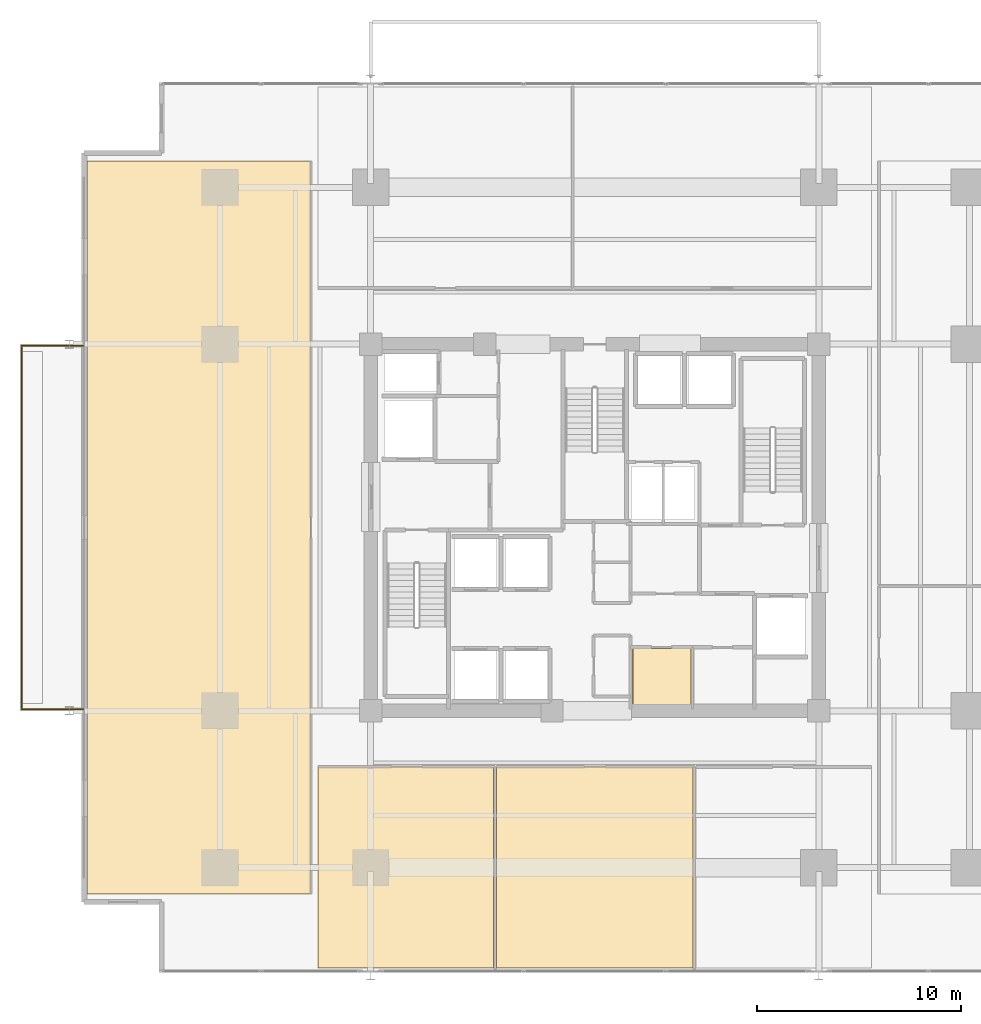
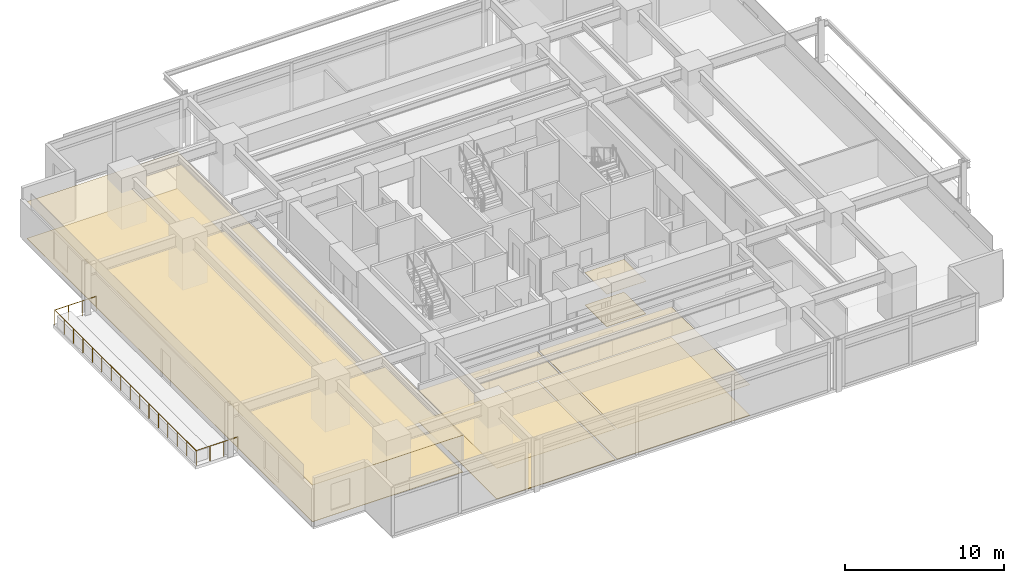
# One storey, part 17 of 20: 8 coverings, 1 railing.
"""IFC4 building model written with IfcOpenShell, lengths in metres."""

import ifcopenshell
import ifcopenshell.guid

model = None  # the IFC model being written
_history = None  # IfcOwnerHistory: only IFC2X3 demands one
_inside = {}  # id of a spatial element -> (the spatial element, [elements in it])
_under = {}  # id of a project, library or spatial element -> (it, [spatial elements below it])
_declared = {}  # id of a project -> (the project, [libraries it declares])
_typed = {}  # id of a type object -> (the type object, [elements of that type])
_made_of = {}  # id of a material, layer set ... -> (it, [elements and type objects made of it])


def new_model(schema):
    """Start an empty IFC model of exactly this schema.

    Asked for "IFC4X3", IfcOpenShell would pick the latest addendum, in which some entities
    have other attributes; the version numbers below select the first issue.
    IFC2X3 requires an IfcOwnerHistory on every rooted entity: one is made here for all.
    """
    global model, _history
    if schema == "IFC4X3":
        model = ifcopenshell.file(schema_version=(4, 3, 0, 0))
    else:
        model = ifcopenshell.file(schema=schema)
    _inside.clear()
    _under.clear()
    _declared.clear()
    _typed.clear()
    _made_of.clear()
    _history = None
    if model.schema == "IFC2X3":
        org = make("IfcOrganization", Name="unknown")
        user = make(
            "IfcPersonAndOrganization",
            ThePerson=make("IfcPerson", FamilyName="unknown"),
            TheOrganization=org,
        )
        app = make(
            "IfcApplication",
            ApplicationDeveloper=org,
            Version="unknown",
            ApplicationFullName="unknown",
            ApplicationIdentifier="unknown",
        )
        _history = make(
            "IfcOwnerHistory",
            OwningUser=user,
            OwningApplication=app,
            ChangeAction="ADDED",
            CreationDate=0,
        )
    return model


def make(cls, **values):
    """One entity of the class cls with the attributes given. An attribute that is None is left unset."""
    return model.create_entity(
        cls, **{name: value for name, value in values.items() if value is not None}
    )


def rooted(cls, **values):
    """An entity with a GlobalId (a new one), such as an element, a storey or a relation."""
    return make(cls, GlobalId=ifcopenshell.guid.new(), OwnerHistory=_history, **values)


def si_unit(unit_type, name, prefix=None):
    """IfcSIUnit, for example si_unit("LENGTHUNIT", "METRE", prefix="MILLI")."""
    return make("IfcSIUnit", UnitType=unit_type, Prefix=prefix, Name=name)


def assignment(units):
    """IfcUnitAssignment: the units of a project."""
    return None if units is None else make("IfcUnitAssignment", Units=units)


def point(xyz):
    """IfcCartesianPoint."""
    return None if xyz is None else make("IfcCartesianPoint", Coordinates=xyz)


def direction(xyz):
    """IfcDirection."""
    return None if xyz is None else make("IfcDirection", DirectionRatios=xyz)


def frame(location, z_axis=None, x_axis=None):
    """IfcAxis2Placement3D, a coordinate frame: its origin and axes. An axis left out is left unset."""
    return make(
        "IfcAxis2Placement3D",
        Location=point(location),
        Axis=direction(z_axis),
        RefDirection=direction(x_axis),
    )


def frame_2d(location, x_axis=None):
    """IfcAxis2Placement2D, a coordinate frame in the plane: its origin and x axis."""
    return make(
        "IfcAxis2Placement2D", Location=point(location), RefDirection=direction(x_axis)
    )


def origin():
    """The frame at (0, 0, 0) with its axes left unset."""
    return frame((0.0, 0.0, 0.0))


def origin_2d():
    """The frame at (0, 0) in the plane with its x axis left unset."""
    return frame_2d((0.0, 0.0))


def place(relative_to, where):
    """IfcLocalPlacement: puts the frame where relative to a parent placement (None: the world)."""
    return make(
        "IfcLocalPlacement", PlacementRelTo=relative_to, RelativePlacement=where
    )


def context(
    kind, dimensions, precision=None, world=None, true_north=None, identifier=None
):
    """IfcGeometricRepresentationContext, for example the 3D "Model" context."""
    return make(
        "IfcGeometricRepresentationContext",
        ContextIdentifier=identifier,
        ContextType=kind,
        CoordinateSpaceDimension=dimensions,
        Precision=precision,
        WorldCoordinateSystem=world,
        TrueNorth=true_north,
    )


def subcontext(parent, identifier, kind, view, scale=None):
    """IfcGeometricRepresentationSubContext, for example "Body" below "Model"."""
    return make(
        "IfcGeometricRepresentationSubContext",
        ContextIdentifier=identifier,
        ContextType=kind,
        ParentContext=parent,
        TargetScale=scale,
        TargetView=view,
    )


def project(units=None, contexts=None):
    """IfcProject with its units and contexts."""
    return rooted(
        "IfcProject",
        Name="project",
        RepresentationContexts=contexts,
        UnitsInContext=assignment(units),
    )


def spatial(cls, under=None, at=None, **own):
    """A site, building, storey or space (cls), placed at a placement, below another one or the project."""
    s = rooted(cls, ObjectPlacement=at, **own)
    if under is not None:
        _under.setdefault(under.id(), (under, []))[1].append(s)
    return s


def polyline(points):
    """IfcPolyline through the points."""
    return make("IfcPolyline", Points=[point(p) for p in points])


def profile(cls, at=None, kind="AREA", **sizes):
    """A parametric profile (cls). Its sizes go by their IFC names, for example OverallWidth=200.0."""
    return make(cls, ProfileType=kind, Position=at, **sizes)


def circle(**sizes):
    """IfcCircleProfileDef."""
    return profile("IfcCircleProfileDef", **sizes)


def outline(outer, holes=None, kind="AREA"):
    """IfcArbitraryClosedProfileDef: a profile drawn as a closed curve; with holes, ...WithVoids."""
    if holes is None:
        return make("IfcArbitraryClosedProfileDef", ProfileType=kind, OuterCurve=outer)
    return make(
        "IfcArbitraryProfileDefWithVoids",
        ProfileType=kind,
        OuterCurve=outer,
        InnerCurves=holes,
    )


def extrude(swept, where, along, depth):
    """IfcExtrudedAreaSolid: the profile swept, set in the frame where, extruded along a direction by depth."""
    return make(
        "IfcExtrudedAreaSolid",
        SweptArea=swept,
        Position=where,
        ExtrudedDirection=direction(along),
        Depth=depth,
    )


def shape(context_of_items, identifier, shape_type, items):
    """IfcShapeRepresentation: the items that make up one representation, for example the "Body"."""
    return make(
        "IfcShapeRepresentation",
        ContextOfItems=context_of_items,
        RepresentationIdentifier=identifier,
        RepresentationType=shape_type,
        Items=items,
    )


def material(Name=None, Category=None):
    """IfcMaterial."""
    return make("IfcMaterial", Name=Name, Category=Category)


def layer(
    of_material, thickness, ventilated=None, Name=None, Category=None, Priority=None
):
    """IfcMaterialLayer: one layer of a wall or slab, of a material (None: an air gap)."""
    return make(
        "IfcMaterialLayer",
        Material=of_material,
        LayerThickness=thickness,
        IsVentilated=ventilated,
        Name=Name,
        Category=Category,
        Priority=Priority,
    )


def layer_set(layers, Name=None):
    """IfcMaterialLayerSet."""
    return make("IfcMaterialLayerSet", MaterialLayers=layers, LayerSetName=Name)


def made_of(thing, what):
    """Note that an element or type object is made of a material, layer set ...; save() writes the relation."""
    if what is not None:
        _made_of.setdefault(what.id(), (what, []))[1].append(thing)
    return thing


def type_object(cls, material=None, **own):
    """A type object (cls), such as IfcWallType, which elements share."""
    return made_of(rooted(cls, **own), material)


def element(
    cls,
    number,
    at=None,
    inside=None,
    cuts=None,
    type_object=None,
    material=None,
    context=None,
    identifier="Body",
    shape_type=None,
    held_by="IfcProductDefinitionShape",
    body=None,
    shapes=None,
    **own,
):
    """One element of the class cls, such as IfcWall. Its Tag is "e" and its number.

    at: its placement. inside: the storey or other place that contains it. cuts: it is an
    opening in that element (IfcRelVoidsElement). A single representation is given by context,
    identifier, shape_type and body (its items); several are given by shapes. held_by: the class
    of the entity that holds the representations. save() writes the other relations.
    """
    e = rooted(cls, Tag="e%d" % number, ObjectPlacement=at, **own)
    if body is not None:
        shapes = [shape(context, identifier, shape_type, body)]
    if shapes is not None:
        e.Representation = make(held_by, Representations=shapes)
    if inside is not None:
        _inside.setdefault(inside.id(), (inside, []))[1].append(e)
    if cuts is not None:
        rooted(
            "IfcRelVoidsElement", RelatingBuildingElement=cuts, RelatedOpeningElement=e
        )
    if type_object is not None:
        _typed.setdefault(type_object.id(), (type_object, []))[1].append(e)
    return made_of(e, material)


def aggregate(whole, parts):
    """IfcRelAggregates: a whole, such as a stair, and the parts it consists of."""
    return rooted("IfcRelAggregates", RelatingObject=whole, RelatedObjects=parts)


def save(model, path):
    """Write the relations noted so far, then the file.

    IfcRelAggregates (storeys below a building ...), IfcRelContainedInSpatialStructure (elements
    in a storey), IfcRelDefinesByType, IfcRelAssociatesMaterial and IfcRelDeclares: one each for
    every whole, place, type object, material and project.
    """
    for whole, parts in _under.values():
        aggregate(whole, parts)
    for where, things in _inside.values():
        rooted(
            "IfcRelContainedInSpatialStructure",
            RelatedElements=things,
            RelatingStructure=where,
        )
    for kind, things in _typed.values():
        rooted("IfcRelDefinesByType", RelatedObjects=things, RelatingType=kind)
    for what, things in _made_of.values():
        rooted("IfcRelAssociatesMaterial", RelatedObjects=things, RelatingMaterial=what)
    for by, libraries in _declared.values():
        rooted("IfcRelDeclares", RelatingContext=by, RelatedDefinitions=libraries)
    model.write(path)


model = new_model("IFC4")

# Units and contexts
model_context = context("Model", 3, precision=1e-05, world=origin(), true_north=direction((0.0, 1.0)))
body_context = subcontext(model_context, "Body", "Model", "MODEL_VIEW")
ifc_project = project(units=[si_unit("LENGTHUNIT", "METRE"), si_unit("AREAUNIT", "SQUARE_METRE"), si_unit("VOLUMEUNIT", "CUBIC_METRE"), si_unit("PLANEANGLEUNIT", "RADIAN"), si_unit("MASSUNIT", "GRAM", prefix="KILO")], contexts=[model_context])

# Site, building, storey
site_placement = place(None, origin())
site = spatial("IfcSite", under=ifc_project, at=site_placement, CompositionType="ELEMENT")
building_placement = place(site_placement, origin())
building = spatial("IfcBuilding", under=site, at=building_placement, Name="Kovane Verandah Tower", CompositionType="ELEMENT")
storey_placement = place(building_placement, frame((0.0, 0.0, 35.60009765625)))
storey = spatial("IfcBuildingStorey", under=building, at=storey_placement, Name="L07", CompositionType="ELEMENT", Elevation=35.60009765625)

# Coverings
ifc_material_1 = material(Name="Perforated Acoustic Mineral-Fibre Ceiling Tile", Category="gypsum")
ifc_layer_1 = layer(ifc_material_1, 0.02490234375)
ifc_layer_set_1 = layer_set([ifc_layer_1], Name="Perforated Acoustic Mineral-Fibre Ceiling Tile")
covering_type_1 = type_object("IfcCoveringType", Name="CV-CEIL-25", PredefinedType="CEILING", material=ifc_layer_set_1)
covering_1_placement = place(storey_placement, frame((0.0, 0.0, 2.514892578125)))
element("IfcCovering", 1, at=covering_1_placement, inside=storey, type_object=covering_type_1, Name="L07 AV Control Room Acoustic Ceiling", PredefinedType="CEILING", context=body_context, shape_type="SweptSolid", body=[
    extrude(outline(polyline([(41.864990234375, 18.784912109375), (44.735107421875, 18.784912109375), (44.735107421875, 21.56494140625), (41.864990234375, 21.56494140625), (41.864990234375, 18.784912109375)])), origin(), (0.0, 0.0, 1.0), 0.02490234375),
])
covering_2_placement = place(storey_placement, frame((0.0, 0.0, 2.364990234375)))
element("IfcCovering", 2, at=covering_2_placement, inside=storey, type_object=covering_type_1, Name="L07 Client Boardroom S1 Acoustic Ceiling", PredefinedType="CEILING", context=body_context, shape_type="SweptSolid", body=[
    extrude(outline(polyline([(26.39990234375, 5.860595703125), (35.033935546875, 5.860595703125), (35.033935546875, 15.75), (26.39990234375, 15.75), (26.39990234375, 5.860595703125)])), origin(), (0.0, 0.0, 1.0), 0.02490234375),
])
covering_3_placement = place(storey_placement, frame((0.0, 0.0, 2.364990234375)))
element("IfcCovering", 3, at=covering_3_placement, inside=storey, type_object=covering_type_1, Name="L07 Meeting Room S2 Acoustic Ceiling", PredefinedType="CEILING", context=body_context, shape_type="SweptSolid", body=[
    extrude(outline(polyline([(35.174072265625, 5.860595703125), (44.825927734375, 5.860595703125), (44.825927734375, 15.75), (35.174072265625, 15.75), (35.174072265625, 5.860595703125)])), origin(), (0.0, 0.0, 1.0), 0.02490234375),
])
covering_4_placement = place(storey_placement, frame((0.0, 0.0, 2.824951171875)))
element("IfcCovering", 4, at=covering_4_placement, inside=storey, type_object=covering_type_1, Name="L07 Breakout Pantry W1 Acoustic Ceiling", PredefinedType="CEILING", context=body_context, shape_type="SweptSolid", body=[
    extrude(outline(polyline([(15.07958984375, 9.5107421875), (26.050048828125, 9.5107421875), (26.050048828125, 45.4892578125), (15.07958984375, 45.4892578125), (15.07958984375, 9.5107421875)])), origin(), (0.0, 0.0, 1.0), 0.02490234375),
])
ifc_material_2 = material(Name="Polished Terrazzo and Raised-Access Carpet Tile Finish", Category="concrete")
ifc_layer_2 = layer(ifc_material_2, 0.030029296875)
ifc_layer_set_2 = layer_set([ifc_layer_2], Name="Polished Terrazzo and Raised-Access Carpet Tile Finish")
covering_type_2 = type_object("IfcCoveringType", Name="CV-FLOR-30", PredefinedType="FLOORING", material=ifc_layer_set_2)
covering_5_placement = place(storey_placement, origin())
element("IfcCovering", 5, at=covering_5_placement, inside=storey, type_object=covering_type_2, Name="L07 AV Control Room Floor Finish", PredefinedType="FLOORING", context=body_context, shape_type="SweptSolid", body=[
    extrude(outline(polyline([(41.8798828125, 18.800048828125), (44.719970703125, 18.800048828125), (44.719970703125, 21.550048828125), (41.8798828125, 21.550048828125), (41.8798828125, 18.800048828125)])), origin(), (0.0, 0.0, 1.0), 0.02978515625),
])
covering_6_placement = place(storey_placement, origin())
element("IfcCovering", 6, at=covering_6_placement, inside=storey, type_object=covering_type_2, Name="L07 Client Boardroom S1 Floor Finish", PredefinedType="FLOORING", context=body_context, shape_type="SweptSolid", body=[
    extrude(outline(polyline([(26.39990234375, 5.860595703125), (35.033935546875, 5.860595703125), (35.033935546875, 15.75), (26.39990234375, 15.75), (26.39990234375, 5.860595703125)])), origin(), (0.0, 0.0, 1.0), 0.02978515625),
])
covering_7_placement = place(storey_placement, origin())
element("IfcCovering", 7, at=covering_7_placement, inside=storey, type_object=covering_type_2, Name="L07 Meeting Room S2 Floor Finish", PredefinedType="FLOORING", context=body_context, shape_type="SweptSolid", body=[
    extrude(outline(polyline([(35.174072265625, 5.860595703125), (44.825927734375, 5.860595703125), (44.825927734375, 15.75), (35.174072265625, 15.75), (35.174072265625, 5.860595703125)])), origin(), (0.0, 0.0, 1.0), 0.02978515625),
])
covering_8_placement = place(storey_placement, origin())
element("IfcCovering", 8, at=covering_8_placement, inside=storey, type_object=covering_type_2, Name="L07 Breakout Pantry W1 Floor Finish", PredefinedType="FLOORING", context=body_context, shape_type="SweptSolid", body=[
    extrude(outline(polyline([(15.07958984375, 9.5107421875), (26.050048828125, 9.5107421875), (26.050048828125, 45.4892578125), (15.07958984375, 45.4892578125), (15.07958984375, 9.5107421875)])), origin(), (0.0, 0.0, 1.0), 0.02978515625),
])

# Railing
ifc_material_3 = material(Name="Laminated Glass and Pale-Champagne Stainless Balustrade", Category="glass")
railing_type = type_object("IfcRailingType", Name="RL-BAL-1150", PredefinedType="BALUSTRADE", material=ifc_material_3)
railing_placement = place(storey_placement, frame((14.879638671875, 18.580078125, 0.0)))
element("IfcRailing", 9, at=railing_placement, inside=storey, type_object=railing_type, Name="L07 W Verandah Glass Balustrade", PredefinedType="BALUSTRADE", context=body_context, shape_type="SweptSolid", body=[
    extrude(circle(Radius=0.02392578125, at=origin_2d()), frame((0.0, 0.0, 1.1259765625), z_axis=(-1.0, 0.0, 0.0), x_axis=(0.0, -1.0, 0.0)), (0.0, 0.0, 1.0), 3.02001953125),
    extrude(circle(Radius=0.02392578125, at=origin_2d()), frame((-3.02001953125, 0.0, 1.1259765625), z_axis=(0.0, 1.0, 0.0), x_axis=(-1.0, 0.0, 0.0)), (0.0, 0.0, 1.0), 17.83984375),
    extrude(circle(Radius=0.02392578125, at=origin_2d()), frame((-3.02001953125, 17.83984375, 1.1259765625), z_axis=(1.0, 0.0, 0.0), x_axis=(0.0, 1.0, 0.0)), (0.0, 0.0, 1.0), 3.02001953125),
    extrude(circle(Radius=0.02099609375, at=origin_2d()), origin(), (0.0, 0.0, 1.0), 1.101806640625),
    extrude(circle(Radius=0.02099609375, at=origin_2d()), frame((-1.006591796875, 0.0, 0.0)), (0.0, 0.0, 1.0), 1.101806640625),
    extrude(circle(Radius=0.02099609375, at=origin_2d()), frame((-2.013427734375, 0.0, 0.0)), (0.0, 0.0, 1.0), 1.101806640625),
    extrude(circle(Radius=0.02099609375, at=origin_2d()), frame((-3.02001953125, 0.0, 0.0)), (0.0, 0.0, 1.0), 1.101806640625),
    extrude(circle(Radius=0.02099609375, at=origin_2d()), frame((-3.02001953125, 1.189208984375, 0.0)), (0.0, 0.0, 1.0), 1.101806640625),
    extrude(circle(Radius=0.02099609375, at=origin_2d()), frame((-3.02001953125, 2.378662109375, 0.0)), (0.0, 0.0, 1.0), 1.101806640625),
    extrude(circle(Radius=0.02099609375, at=origin_2d()), frame((-3.02001953125, 3.56787109375, 0.0)), (0.0, 0.0, 1.0), 1.101806640625),
    extrude(circle(Radius=0.02099609375, at=origin_2d()), frame((-3.02001953125, 4.75732421875, 0.0)), (0.0, 0.0, 1.0), 1.101806640625),
    extrude(circle(Radius=0.02099609375, at=origin_2d()), frame((-3.02001953125, 5.946533203125, 0.0)), (0.0, 0.0, 1.0), 1.101806640625),
    extrude(circle(Radius=0.02099609375, at=origin_2d()), frame((-3.02001953125, 7.135986328125, 0.0)), (0.0, 0.0, 1.0), 1.101806640625),
    extrude(circle(Radius=0.02099609375, at=origin_2d()), frame((-3.02001953125, 8.3251953125, 0.0)), (0.0, 0.0, 1.0), 1.101806640625),
    extrude(circle(Radius=0.02099609375, at=origin_2d()), frame((-3.02001953125, 9.5146484375, 0.0)), (0.0, 0.0, 1.0), 1.101806640625),
    extrude(circle(Radius=0.02099609375, at=origin_2d()), frame((-3.02001953125, 10.703857421875, 0.0)), (0.0, 0.0, 1.0), 1.101806640625),
    extrude(circle(Radius=0.02099609375, at=origin_2d()), frame((-3.02001953125, 11.893310546875, 0.0)), (0.0, 0.0, 1.0), 1.101806640625),
    extrude(circle(Radius=0.02099609375, at=origin_2d()), frame((-3.02001953125, 13.08251953125, 0.0)), (0.0, 0.0, 1.0), 1.101806640625),
    extrude(circle(Radius=0.02099609375, at=origin_2d()), frame((-3.02001953125, 14.27197265625, 0.0)), (0.0, 0.0, 1.0), 1.101806640625),
    extrude(circle(Radius=0.02099609375, at=origin_2d()), frame((-3.02001953125, 15.461181640625, 0.0)), (0.0, 0.0, 1.0), 1.101806640625),
    extrude(circle(Radius=0.02099609375, at=origin_2d()), frame((-3.02001953125, 16.650634765625, 0.0)), (0.0, 0.0, 1.0), 1.101806640625),
    extrude(circle(Radius=0.02099609375, at=origin_2d()), frame((-3.02001953125, 17.83984375, 0.0)), (0.0, 0.0, 1.0), 1.101806640625),
    extrude(circle(Radius=0.02099609375, at=origin_2d()), frame((-2.013427734375, 17.83984375, 0.0)), (0.0, 0.0, 1.0), 1.101806640625),
    extrude(circle(Radius=0.02099609375, at=origin_2d()), frame((-1.006591796875, 17.83984375, 0.0)), (0.0, 0.0, 1.0), 1.101806640625),
    extrude(circle(Radius=0.02099609375, at=origin_2d()), frame((0.0, 17.83984375, 0.0)), (0.0, 0.0, 1.0), 1.101806640625),
])

save(model, "model.ifc")
